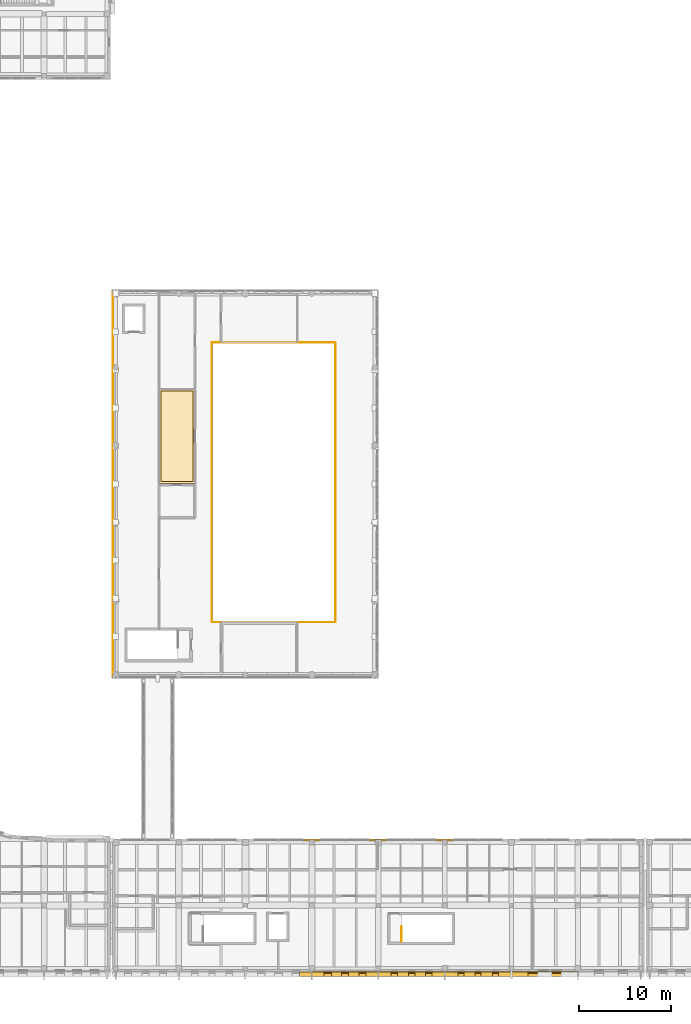
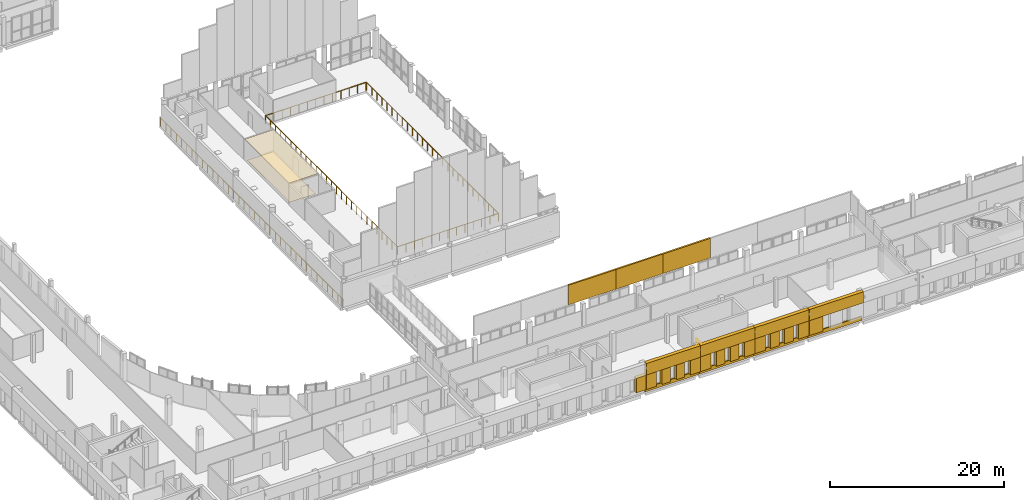
# One storey, part 68 of 76: 27 coverings, 4 railings.
"""IFC4 building model written with IfcOpenShell, lengths in metres."""

import ifcopenshell
import ifcopenshell.guid

model = None  # the IFC model being written
_history = None  # IfcOwnerHistory: only IFC2X3 demands one
_inside = {}  # id of a spatial element -> (the spatial element, [elements in it])
_under = {}  # id of a project, library or spatial element -> (it, [spatial elements below it])
_declared = {}  # id of a project -> (the project, [libraries it declares])
_typed = {}  # id of a type object -> (the type object, [elements of that type])
_made_of = {}  # id of a material, layer set ... -> (it, [elements and type objects made of it])


def new_model(schema):
    """Start an empty IFC model of exactly this schema.

    Asked for "IFC4X3", IfcOpenShell would pick the latest addendum, in which some entities
    have other attributes; the version numbers below select the first issue.
    IFC2X3 requires an IfcOwnerHistory on every rooted entity: one is made here for all.
    """
    global model, _history
    if schema == "IFC4X3":
        model = ifcopenshell.file(schema_version=(4, 3, 0, 0))
    else:
        model = ifcopenshell.file(schema=schema)
    _inside.clear()
    _under.clear()
    _declared.clear()
    _typed.clear()
    _made_of.clear()
    _history = None
    if model.schema == "IFC2X3":
        org = make("IfcOrganization", Name="unknown")
        user = make(
            "IfcPersonAndOrganization",
            ThePerson=make("IfcPerson", FamilyName="unknown"),
            TheOrganization=org,
        )
        app = make(
            "IfcApplication",
            ApplicationDeveloper=org,
            Version="unknown",
            ApplicationFullName="unknown",
            ApplicationIdentifier="unknown",
        )
        _history = make(
            "IfcOwnerHistory",
            OwningUser=user,
            OwningApplication=app,
            ChangeAction="ADDED",
            CreationDate=0,
        )
    return model


def make(cls, **values):
    """One entity of the class cls with the attributes given. An attribute that is None is left unset."""
    return model.create_entity(
        cls, **{name: value for name, value in values.items() if value is not None}
    )


def rooted(cls, **values):
    """An entity with a GlobalId (a new one), such as an element, a storey or a relation."""
    return make(cls, GlobalId=ifcopenshell.guid.new(), OwnerHistory=_history, **values)


def si_unit(unit_type, name, prefix=None):
    """IfcSIUnit, for example si_unit("LENGTHUNIT", "METRE", prefix="MILLI")."""
    return make("IfcSIUnit", UnitType=unit_type, Prefix=prefix, Name=name)


def assignment(units):
    """IfcUnitAssignment: the units of a project."""
    return None if units is None else make("IfcUnitAssignment", Units=units)


def point(xyz):
    """IfcCartesianPoint."""
    return None if xyz is None else make("IfcCartesianPoint", Coordinates=xyz)


def direction(xyz):
    """IfcDirection."""
    return None if xyz is None else make("IfcDirection", DirectionRatios=xyz)


def frame(location, z_axis=None, x_axis=None):
    """IfcAxis2Placement3D, a coordinate frame: its origin and axes. An axis left out is left unset."""
    return make(
        "IfcAxis2Placement3D",
        Location=point(location),
        Axis=direction(z_axis),
        RefDirection=direction(x_axis),
    )


def frame_2d(location, x_axis=None):
    """IfcAxis2Placement2D, a coordinate frame in the plane: its origin and x axis."""
    return make(
        "IfcAxis2Placement2D", Location=point(location), RefDirection=direction(x_axis)
    )


def origin():
    """The frame at (0, 0, 0) with its axes left unset."""
    return frame((0.0, 0.0, 0.0))


def origin_2d():
    """The frame at (0, 0) in the plane with its x axis left unset."""
    return frame_2d((0.0, 0.0))


def place(relative_to, where):
    """IfcLocalPlacement: puts the frame where relative to a parent placement (None: the world)."""
    return make(
        "IfcLocalPlacement", PlacementRelTo=relative_to, RelativePlacement=where
    )


def context(
    kind, dimensions, precision=None, world=None, true_north=None, identifier=None
):
    """IfcGeometricRepresentationContext, for example the 3D "Model" context."""
    return make(
        "IfcGeometricRepresentationContext",
        ContextIdentifier=identifier,
        ContextType=kind,
        CoordinateSpaceDimension=dimensions,
        Precision=precision,
        WorldCoordinateSystem=world,
        TrueNorth=true_north,
    )


def subcontext(parent, identifier, kind, view, scale=None):
    """IfcGeometricRepresentationSubContext, for example "Body" below "Model"."""
    return make(
        "IfcGeometricRepresentationSubContext",
        ContextIdentifier=identifier,
        ContextType=kind,
        ParentContext=parent,
        TargetScale=scale,
        TargetView=view,
    )


def project(units=None, contexts=None):
    """IfcProject with its units and contexts."""
    return rooted(
        "IfcProject",
        Name="project",
        RepresentationContexts=contexts,
        UnitsInContext=assignment(units),
    )


def spatial(cls, under=None, at=None, **own):
    """A site, building, storey or space (cls), placed at a placement, below another one or the project."""
    s = rooted(cls, ObjectPlacement=at, **own)
    if under is not None:
        _under.setdefault(under.id(), (under, []))[1].append(s)
    return s


def polyline(points):
    """IfcPolyline through the points."""
    return make("IfcPolyline", Points=[point(p) for p in points])


def profile(cls, at=None, kind="AREA", **sizes):
    """A parametric profile (cls). Its sizes go by their IFC names, for example OverallWidth=200.0."""
    return make(cls, ProfileType=kind, Position=at, **sizes)


def circle(**sizes):
    """IfcCircleProfileDef."""
    return profile("IfcCircleProfileDef", **sizes)


def outline(outer, holes=None, kind="AREA"):
    """IfcArbitraryClosedProfileDef: a profile drawn as a closed curve; with holes, ...WithVoids."""
    if holes is None:
        return make("IfcArbitraryClosedProfileDef", ProfileType=kind, OuterCurve=outer)
    return make(
        "IfcArbitraryProfileDefWithVoids",
        ProfileType=kind,
        OuterCurve=outer,
        InnerCurves=holes,
    )


def extrude(swept, where, along, depth):
    """IfcExtrudedAreaSolid: the profile swept, set in the frame where, extruded along a direction by depth."""
    return make(
        "IfcExtrudedAreaSolid",
        SweptArea=swept,
        Position=where,
        ExtrudedDirection=direction(along),
        Depth=depth,
    )


def shape(context_of_items, identifier, shape_type, items):
    """IfcShapeRepresentation: the items that make up one representation, for example the "Body"."""
    return make(
        "IfcShapeRepresentation",
        ContextOfItems=context_of_items,
        RepresentationIdentifier=identifier,
        RepresentationType=shape_type,
        Items=items,
    )


def material(Name=None, Category=None):
    """IfcMaterial."""
    return make("IfcMaterial", Name=Name, Category=Category)


def layer(
    of_material, thickness, ventilated=None, Name=None, Category=None, Priority=None
):
    """IfcMaterialLayer: one layer of a wall or slab, of a material (None: an air gap)."""
    return make(
        "IfcMaterialLayer",
        Material=of_material,
        LayerThickness=thickness,
        IsVentilated=ventilated,
        Name=Name,
        Category=Category,
        Priority=Priority,
    )


def layer_set(layers, Name=None):
    """IfcMaterialLayerSet."""
    return make("IfcMaterialLayerSet", MaterialLayers=layers, LayerSetName=Name)


def made_of(thing, what):
    """Note that an element or type object is made of a material, layer set ...; save() writes the relation."""
    if what is not None:
        _made_of.setdefault(what.id(), (what, []))[1].append(thing)
    return thing


def type_object(cls, material=None, **own):
    """A type object (cls), such as IfcWallType, which elements share."""
    return made_of(rooted(cls, **own), material)


def element(
    cls,
    number,
    at=None,
    inside=None,
    cuts=None,
    type_object=None,
    material=None,
    context=None,
    identifier="Body",
    shape_type=None,
    held_by="IfcProductDefinitionShape",
    body=None,
    shapes=None,
    **own,
):
    """One element of the class cls, such as IfcWall. Its Tag is "e" and its number.

    at: its placement. inside: the storey or other place that contains it. cuts: it is an
    opening in that element (IfcRelVoidsElement). A single representation is given by context,
    identifier, shape_type and body (its items); several are given by shapes. held_by: the class
    of the entity that holds the representations. save() writes the other relations.
    """
    e = rooted(cls, Tag="e%d" % number, ObjectPlacement=at, **own)
    if body is not None:
        shapes = [shape(context, identifier, shape_type, body)]
    if shapes is not None:
        e.Representation = make(held_by, Representations=shapes)
    if inside is not None:
        _inside.setdefault(inside.id(), (inside, []))[1].append(e)
    if cuts is not None:
        rooted(
            "IfcRelVoidsElement", RelatingBuildingElement=cuts, RelatedOpeningElement=e
        )
    if type_object is not None:
        _typed.setdefault(type_object.id(), (type_object, []))[1].append(e)
    return made_of(e, material)


def aggregate(whole, parts):
    """IfcRelAggregates: a whole, such as a stair, and the parts it consists of."""
    return rooted("IfcRelAggregates", RelatingObject=whole, RelatedObjects=parts)


def save(model, path):
    """Write the relations noted so far, then the file.

    IfcRelAggregates (storeys below a building ...), IfcRelContainedInSpatialStructure (elements
    in a storey), IfcRelDefinesByType, IfcRelAssociatesMaterial and IfcRelDeclares: one each for
    every whole, place, type object, material and project.
    """
    for whole, parts in _under.values():
        aggregate(whole, parts)
    for where, things in _inside.values():
        rooted(
            "IfcRelContainedInSpatialStructure",
            RelatedElements=things,
            RelatingStructure=where,
        )
    for kind, things in _typed.values():
        rooted("IfcRelDefinesByType", RelatedObjects=things, RelatingType=kind)
    for what, things in _made_of.values():
        rooted("IfcRelAssociatesMaterial", RelatedObjects=things, RelatingMaterial=what)
    for by, libraries in _declared.values():
        rooted("IfcRelDeclares", RelatingContext=by, RelatedDefinitions=libraries)
    model.write(path)


model = new_model("IFC4")

# Units and contexts
model_context = context("Model", 3, precision=1e-05, world=origin(), true_north=direction((0.0, 1.0)))
body_context = subcontext(model_context, "Body", "Model", "MODEL_VIEW")
ifc_project = project(units=[si_unit("LENGTHUNIT", "METRE"), si_unit("AREAUNIT", "SQUARE_METRE"), si_unit("VOLUMEUNIT", "CUBIC_METRE"), si_unit("PLANEANGLEUNIT", "RADIAN"), si_unit("MASSUNIT", "GRAM", prefix="KILO")], contexts=[model_context])

# Site, building, storey
site_placement = place(None, origin())
site = spatial("IfcSite", under=ifc_project, at=site_placement, CompositionType="ELEMENT")
building_placement = place(site_placement, origin())
building = spatial("IfcBuilding", under=site, at=building_placement, Name="Vardoun Plaza Health Centre", CompositionType="ELEMENT")
storey_placement = place(building_placement, frame((0.0, 0.0, 4.5)))
storey = spatial("IfcBuildingStorey", under=building, at=storey_placement, Name="L01", CompositionType="ELEMENT", Elevation=4.5)

# Coverings
ifc_material_1 = material(Name="Hygienic Acoustic Mineral-Fibre Ceiling", Category="concrete")
ifc_layer_1 = layer(ifc_material_1, 0.02490234375)
ifc_layer_set_1 = layer_set([ifc_layer_1], Name="Hygienic Acoustic Mineral-Fibre Ceiling")
covering_type_1 = type_object("IfcCoveringType", Name="CL-01", PredefinedType="CEILING", material=ifc_layer_set_1)
covering_1_placement = place(storey_placement, frame((0.0, 0.0, 2.8798828125)))
element("IfcCovering", 1, at=covering_1_placement, inside=storey, type_object=covering_type_1, Name="Health Education Kiosk Acoustic Ceiling", PredefinedType="CEILING", context=body_context, shape_type="SweptSolid", body=[
    extrude(outline(polyline([(56.820068359375, 57.389892578125), (52.949951171875, 57.389892578125), (52.949951171875, 67.574951171875), (56.820068359375, 67.574951171875), (56.820068359375, 57.389892578125)])), origin(), (0.0, 0.0, 1.0), 0.025146484375),
])
ifc_material_2 = material(Name="Pale Limestone Concrete C35/45", Category="masonry")
ifc_layer_2 = layer(ifc_material_2, 0.080078125)
ifc_layer_set_2 = layer_set([ifc_layer_2], Name="Pale Limestone Concrete C35/45")
covering_type_2 = type_object("IfcCoveringType", Name="CL-EXT1", PredefinedType="CLADDING", material=ifc_layer_set_2)
covering_2_placement = place(storey_placement, origin())
element("IfcCovering", 2, at=covering_2_placement, inside=storey, type_object=covering_type_2, Name="V4 L01 Pale Concrete Sill Band 1030", PredefinedType="CLADDING", context=body_context, shape_type="SweptSolid", body=[
    extrude(outline(polyline([(98.260009765625, 4.5), (91.10009765625, 4.5), (91.10009765625, 4.360107421875), (98.260009765625, 4.360107421875), (98.260009765625, 4.5)])), origin(), (0.0, 0.0, 1.0), 0.550048828125),
])
covering_3_placement = place(storey_placement, frame((0.0, 0.0, 2.64990234375)))
element("IfcCovering", 3, at=covering_3_placement, inside=storey, type_object=covering_type_2, Name="V4 L01 Sculpted Concrete Eyebrow Hood 1031", PredefinedType="CLADDING", context=body_context, shape_type="SweptSolid", body=[
    extrude(outline(polyline([(98.260009765625, 4.5), (91.10009765625, 4.5), (91.10009765625, 4.02001953125), (98.260009765625, 4.02001953125), (98.260009765625, 4.5)])), origin(), (0.0, 0.0, 1.0), 1.550048828125),
])
covering_4_placement = place(storey_placement, frame((0.0, 0.0, 0.550048828125)))
element("IfcCovering", 4, at=covering_4_placement, inside=storey, type_object=covering_type_2, Name="V4 L01 Deep-Punched Slot Concrete Reveal Pier 1034", PredefinedType="CLADDING", context=body_context, shape_type="SweptSolid", body=[
    extrude(outline(polyline([(92.884033203125, 4.5), (91.10009765625, 4.5), (91.10009765625, 4.02001953125), (92.884033203125, 4.02001953125), (92.884033203125, 4.5)])), origin(), (0.0, 0.0, 1.0), 2.099853515625),
])
covering_5_placement = place(storey_placement, origin())
element("IfcCovering", 5, at=covering_5_placement, inside=storey, type_object=covering_type_2, Name="V4 L01 Pale Concrete Sill Band 1035", PredefinedType="CLADDING", context=body_context, shape_type="SweptSolid", body=[
    extrude(outline(polyline([(91.06005859375, 4.5), (83.89990234375, 4.5), (83.89990234375, 4.360107421875), (91.06005859375, 4.360107421875), (91.06005859375, 4.5)])), origin(), (0.0, 0.0, 1.0), 0.550048828125),
])
covering_6_placement = place(storey_placement, frame((0.0, 0.0, 2.6298828125)))
element("IfcCovering", 6, at=covering_6_placement, inside=storey, type_object=covering_type_2, Name="V4 L01 Sculpted Concrete Eyebrow Hood 1036", PredefinedType="CLADDING", context=body_context, shape_type="SweptSolid", body=[
    extrude(outline(polyline([(91.06005859375, 4.5), (83.89990234375, 4.5), (83.89990234375, 4.02001953125), (91.06005859375, 4.02001953125), (91.06005859375, 4.5)])), origin(), (0.0, 0.0, 1.0), 1.570068359375),
])
covering_7_placement = place(storey_placement, frame((0.0, 0.0, 0.550048828125)))
element("IfcCovering", 7, at=covering_7_placement, inside=storey, type_object=covering_type_2, Name="V4 L01 Deep-Punched Slot Concrete Reveal Pier 1037", PredefinedType="CLADDING", context=body_context, shape_type="SweptSolid", body=[
    extrude(outline(polyline([(91.06005859375, 4.5), (89.681884765625, 4.5), (89.681884765625, 4.02001953125), (91.06005859375, 4.02001953125), (91.06005859375, 4.5)])), origin(), (0.0, 0.0, 1.0), 2.079833984375),
])
covering_8_placement = place(storey_placement, frame((0.0, 0.0, 0.550048828125)))
element("IfcCovering", 8, at=covering_8_placement, inside=storey, type_object=covering_type_2, Name="V4 L01 Deep-Punched Slot Concrete Reveal Pier 1038", PredefinedType="CLADDING", context=body_context, shape_type="SweptSolid", body=[
    extrude(outline(polyline([(89.02197265625, 4.5), (87.81005859375, 4.5), (87.81005859375, 4.02001953125), (89.02197265625, 4.02001953125), (89.02197265625, 4.5)])), origin(), (0.0, 0.0, 1.0), 2.079833984375),
])
covering_9_placement = place(storey_placement, frame((0.0, 0.0, 0.550048828125)))
element("IfcCovering", 9, at=covering_9_placement, inside=storey, type_object=covering_type_2, Name="V4 L01 Deep-Punched Slot Concrete Reveal Pier 1039", PredefinedType="CLADDING", context=body_context, shape_type="SweptSolid", body=[
    extrude(outline(polyline([(87.14990234375, 4.5), (85.93798828125, 4.5), (85.93798828125, 4.02001953125), (87.14990234375, 4.02001953125), (87.14990234375, 4.5)])), origin(), (0.0, 0.0, 1.0), 2.079833984375),
])
covering_10_placement = place(storey_placement, frame((0.0, 0.0, 0.550048828125)))
element("IfcCovering", 10, at=covering_10_placement, inside=storey, type_object=covering_type_2, Name="V4 L01 Deep-Punched Slot Concrete Reveal Pier 1040", PredefinedType="CLADDING", context=body_context, shape_type="SweptSolid", body=[
    extrude(outline(polyline([(85.278076171875, 4.5), (83.89990234375, 4.5), (83.89990234375, 4.02001953125), (85.278076171875, 4.02001953125), (85.278076171875, 4.5)])), origin(), (0.0, 0.0, 1.0), 2.079833984375),
])
covering_11_placement = place(storey_placement, origin())
element("IfcCovering", 11, at=covering_11_placement, inside=storey, type_object=covering_type_2, Name="V4 L01 Pale Concrete Sill Band 1041", PredefinedType="CLADDING", context=body_context, shape_type="SweptSolid", body=[
    extrude(outline(polyline([(83.860107421875, 4.5), (76.699951171875, 4.5), (76.699951171875, 4.360107421875), (83.860107421875, 4.360107421875), (83.860107421875, 4.5)])), origin(), (0.0, 0.0, 1.0), 0.550048828125),
])
covering_12_placement = place(storey_placement, frame((0.0, 0.0, 2.6298828125)))
element("IfcCovering", 12, at=covering_12_placement, inside=storey, type_object=covering_type_2, Name="V4 L01 Sculpted Concrete Eyebrow Hood 1042", PredefinedType="CLADDING", context=body_context, shape_type="SweptSolid", body=[
    extrude(outline(polyline([(83.860107421875, 4.5), (76.699951171875, 4.5), (76.699951171875, 4.02001953125), (83.860107421875, 4.02001953125), (83.860107421875, 4.5)])), origin(), (0.0, 0.0, 1.0), 1.570068359375),
])
covering_13_placement = place(storey_placement, frame((0.0, 0.0, 0.550048828125)))
element("IfcCovering", 13, at=covering_13_placement, inside=storey, type_object=covering_type_2, Name="V4 L01 Deep-Punched Slot Concrete Reveal Pier 1043", PredefinedType="CLADDING", context=body_context, shape_type="SweptSolid", body=[
    extrude(outline(polyline([(83.860107421875, 4.5), (82.511962890625, 4.5), (82.511962890625, 4.02001953125), (83.860107421875, 4.02001953125), (83.860107421875, 4.5)])), origin(), (0.0, 0.0, 1.0), 2.079833984375),
])
covering_14_placement = place(storey_placement, frame((0.0, 0.0, 0.550048828125)))
element("IfcCovering", 14, at=covering_14_placement, inside=storey, type_object=covering_type_2, Name="V4 L01 Deep-Punched Slot Concrete Reveal Pier 1044", PredefinedType="CLADDING", context=body_context, shape_type="SweptSolid", body=[
    extrude(outline(polyline([(81.7919921875, 4.5), (80.639892578125, 4.5), (80.639892578125, 4.02001953125), (81.7919921875, 4.02001953125), (81.7919921875, 4.5)])), origin(), (0.0, 0.0, 1.0), 2.079833984375),
])
covering_15_placement = place(storey_placement, frame((0.0, 0.0, 0.550048828125)))
element("IfcCovering", 15, at=covering_15_placement, inside=storey, type_object=covering_type_2, Name="V4 L01 Deep-Punched Slot Concrete Reveal Pier 1045", PredefinedType="CLADDING", context=body_context, shape_type="SweptSolid", body=[
    extrude(outline(polyline([(79.919921875, 4.5), (78.76806640625, 4.5), (78.76806640625, 4.02001953125), (79.919921875, 4.02001953125), (79.919921875, 4.5)])), origin(), (0.0, 0.0, 1.0), 2.079833984375),
])
covering_16_placement = place(storey_placement, frame((0.0, 0.0, 0.550048828125)))
element("IfcCovering", 16, at=covering_16_placement, inside=storey, type_object=covering_type_2, Name="V4 L01 Deep-Punched Slot Concrete Reveal Pier 1046", PredefinedType="CLADDING", context=body_context, shape_type="SweptSolid", body=[
    extrude(outline(polyline([(78.048095703125, 4.5), (76.699951171875, 4.5), (76.699951171875, 4.02001953125), (78.048095703125, 4.02001953125), (78.048095703125, 4.5)])), origin(), (0.0, 0.0, 1.0), 2.079833984375),
])
covering_17_placement = place(storey_placement, origin())
element("IfcCovering", 17, at=covering_17_placement, inside=storey, type_object=covering_type_2, Name="V4 L01 Pale Concrete Sill Band 1047", PredefinedType="CLADDING", context=body_context, shape_type="SweptSolid", body=[
    extrude(outline(polyline([(76.659912109375, 4.5), (69.5, 4.5), (69.5, 4.360107421875), (76.659912109375, 4.360107421875), (76.659912109375, 4.5)])), origin(), (0.0, 0.0, 1.0), 0.550048828125),
])
covering_18_placement = place(storey_placement, frame((0.0, 0.0, 2.590087890625)))
element("IfcCovering", 18, at=covering_18_placement, inside=storey, type_object=covering_type_2, Name="V4 L01 Sculpted Concrete Eyebrow Hood 1048", PredefinedType="CLADDING", context=body_context, shape_type="SweptSolid", body=[
    extrude(outline(polyline([(76.659912109375, 4.5), (69.5, 4.5), (69.5, 4.02001953125), (76.659912109375, 4.02001953125), (76.659912109375, 4.5)])), origin(), (0.0, 0.0, 1.0), 1.60986328125),
])
covering_19_placement = place(storey_placement, frame((0.0, 0.0, 0.550048828125)))
element("IfcCovering", 19, at=covering_19_placement, inside=storey, type_object=covering_type_2, Name="V4 L01 Deep-Punched Slot Concrete Reveal Pier 1049", PredefinedType="CLADDING", context=body_context, shape_type="SweptSolid", body=[
    extrude(outline(polyline([(76.659912109375, 4.5), (75.342041015625, 4.5), (75.342041015625, 4.02001953125), (76.659912109375, 4.02001953125), (76.659912109375, 4.5)])), origin(), (0.0, 0.0, 1.0), 2.0400390625),
])
covering_20_placement = place(storey_placement, frame((0.0, 0.0, 0.550048828125)))
element("IfcCovering", 20, at=covering_20_placement, inside=storey, type_object=covering_type_2, Name="V4 L01 Deep-Punched Slot Concrete Reveal Pier 1050", PredefinedType="CLADDING", context=body_context, shape_type="SweptSolid", body=[
    extrude(outline(polyline([(74.56201171875, 4.5), (73.469970703125, 4.5), (73.469970703125, 4.02001953125), (74.56201171875, 4.02001953125), (74.56201171875, 4.5)])), origin(), (0.0, 0.0, 1.0), 2.0400390625),
])
covering_21_placement = place(storey_placement, frame((0.0, 0.0, 0.550048828125)))
element("IfcCovering", 21, at=covering_21_placement, inside=storey, type_object=covering_type_2, Name="V4 L01 Deep-Punched Slot Concrete Reveal Pier 1051", PredefinedType="CLADDING", context=body_context, shape_type="SweptSolid", body=[
    extrude(outline(polyline([(72.68994140625, 4.5), (71.597900390625, 4.5), (71.597900390625, 4.02001953125), (72.68994140625, 4.02001953125), (72.68994140625, 4.5)])), origin(), (0.0, 0.0, 1.0), 2.0400390625),
])
covering_22_placement = place(storey_placement, frame((0.0, 0.0, 0.550048828125)))
element("IfcCovering", 22, at=covering_22_placement, inside=storey, type_object=covering_type_2, Name="V4 L01 Deep-Punched Slot Concrete Reveal Pier 1052", PredefinedType="CLADDING", context=body_context, shape_type="SweptSolid", body=[
    extrude(outline(polyline([(70.818115234375, 4.5), (69.5, 4.5), (69.5, 4.02001953125), (70.818115234375, 4.02001953125), (70.818115234375, 4.5)])), origin(), (0.0, 0.0, 1.0), 2.0400390625),
])
covering_23_placement = place(storey_placement, frame((0.0, 0.0, 0.550048828125)))
element("IfcCovering", 23, at=covering_23_placement, inside=storey, type_object=covering_type_2, Name="V4 L01 Deep-Punched Slot Concrete Reveal Pier 1055", PredefinedType="CLADDING", context=body_context, shape_type="SweptSolid", body=[
    extrude(outline(polyline([(69.4599609375, 4.5), (68.172119140625, 4.5), (68.172119140625, 4.02001953125), (69.4599609375, 4.02001953125), (69.4599609375, 4.5)])), origin(), (0.0, 0.0, 1.0), 2.0400390625),
])
covering_24_placement = place(storey_placement, frame((0.0, 0.0, 4.199951171875)))
element("IfcCovering", 24, at=covering_24_placement, inside=storey, type_object=covering_type_2, Name="Sculpted Concrete Roof Gable Cladding V4-N.3", PredefinedType="CLADDING", context=body_context, shape_type="SweptSolid", body=[
    extrude(outline(polyline([(67.6201171875, 18.659912109375), (73.889892578125, 18.659912109375), (73.889892578125, 18.8798828125), (67.6201171875, 18.8798828125), (67.6201171875, 18.659912109375)])), origin(), (0.0, 0.0, 1.0), 2.75),
])
covering_25_placement = place(storey_placement, frame((0.0, 0.0, 4.199951171875)))
element("IfcCovering", 25, at=covering_25_placement, inside=storey, type_object=covering_type_2, Name="Sculpted Concrete Roof Gable Cladding V4-N.4", PredefinedType="CLADDING", context=body_context, shape_type="SweptSolid", body=[
    extrude(outline(polyline([(73.889892578125, 18.659912109375), (80.159912109375, 18.659912109375), (80.159912109375, 18.8798828125), (73.889892578125, 18.8798828125), (73.889892578125, 18.659912109375)])), origin(), (0.0, 0.0, 1.0), 2.75),
])
covering_26_placement = place(storey_placement, frame((0.0, 0.0, 4.199951171875)))
element("IfcCovering", 26, at=covering_26_placement, inside=storey, type_object=covering_type_2, Name="Sculpted Concrete Roof Gable Cladding V4-N.5", PredefinedType="CLADDING", context=body_context, shape_type="SweptSolid", body=[
    extrude(outline(polyline([(80.159912109375, 18.659912109375), (86.429931640625, 18.659912109375), (86.429931640625, 18.8798828125), (80.159912109375, 18.8798828125), (80.159912109375, 18.659912109375)])), origin(), (0.0, 0.0, 1.0), 2.75),
])
ifc_material_3 = material(Name="Seamless Conductive Clinical Vinyl Flooring", Category="concrete")
ifc_layer_3 = layer(ifc_material_3, 0.014892578125)
ifc_layer_set_3 = layer_set([ifc_layer_3], Name="Seamless Conductive Clinical Vinyl Flooring")
covering_type_3 = type_object("IfcCoveringType", Name="FL-01", PredefinedType="FLOORING", material=ifc_layer_set_3)
covering_27_placement = place(storey_placement, origin())
element("IfcCovering", 27, at=covering_27_placement, inside=storey, type_object=covering_type_3, Name="Health Education Kiosk Floor Finish", PredefinedType="FLOORING", context=body_context, shape_type="SweptSolid", body=[
    extrude(outline(polyline([(56.610107421875, 57.60009765625), (53.159912109375, 57.60009765625), (53.159912109375, 67.364990234375), (56.610107421875, 67.364990234375), (56.610107421875, 57.60009765625)])), origin(), (0.0, 0.0, 1.0), 0.014892578125),
])

# Railings
ifc_material_4 = material(Name="Aluminium Alloy EN AW-6063-T6 and Laminated Glass", Category="aluminium")
railing_type_1 = type_object("IfcRailingType", Name="GR-02", PredefinedType="BALUSTRADE", material=ifc_material_4)
railing_1_placement = place(storey_placement, frame((58.64990234375, 42.35009765625, 0.0)))
element("IfcRailing", 28, at=railing_1_placement, inside=storey, type_object=railing_type_1, Name="Waiting Hall Gallery Atrium Balustrade South-East", PredefinedType="BALUSTRADE", context=body_context, shape_type="SweptSolid", body=[
    extrude(circle(Radius=0.02392578125, at=origin_2d()), frame((0.0, 0.0, 1.1259765625), z_axis=(1.0, 0.0, 0.0), x_axis=(0.0, 1.0, 0.0)), (0.0, 0.0, 1.0), 13.380126953125),
    extrude(circle(Radius=0.02392578125, at=origin_2d()), frame((13.380126953125, 0.0, 1.1259765625), z_axis=(0.0, 1.0, 0.0), x_axis=(-1.0, 0.0, 0.0)), (0.0, 0.0, 1.0), 30.22998046875),
    extrude(circle(Radius=0.02099609375, at=origin_2d()), origin(), (0.0, 0.0, 1.0), 1.101806640625),
    extrude(circle(Radius=0.02099609375, at=origin_2d()), frame((1.114990234375, 0.0, 0.0)), (0.0, 0.0, 1.0), 1.101806640625),
    extrude(circle(Radius=0.02099609375, at=origin_2d()), frame((2.22998046875, 0.0, 0.0)), (0.0, 0.0, 1.0), 1.101806640625),
    extrude(circle(Radius=0.02099609375, at=origin_2d()), frame((3.344970703125, 0.0, 0.0)), (0.0, 0.0, 1.0), 1.101806640625),
    extrude(circle(Radius=0.02099609375, at=origin_2d()), frame((4.4599609375, 0.0, 0.0)), (0.0, 0.0, 1.0), 1.101806640625),
    extrude(circle(Radius=0.02099609375, at=origin_2d()), frame((5.574951171875, 0.0, 0.0)), (0.0, 0.0, 1.0), 1.101806640625),
    extrude(circle(Radius=0.02099609375, at=origin_2d()), frame((6.68994140625, 0.0, 0.0)), (0.0, 0.0, 1.0), 1.101806640625),
    extrude(circle(Radius=0.02099609375, at=origin_2d()), frame((7.80517578125, 0.0, 0.0)), (0.0, 0.0, 1.0), 1.101806640625),
    extrude(circle(Radius=0.02099609375, at=origin_2d()), frame((8.920166015625, 0.0, 0.0)), (0.0, 0.0, 1.0), 1.101806640625),
    extrude(circle(Radius=0.02099609375, at=origin_2d()), frame((10.03515625, 0.0, 0.0)), (0.0, 0.0, 1.0), 1.101806640625),
    extrude(circle(Radius=0.02099609375, at=origin_2d()), frame((11.150146484375, 0.0, 0.0)), (0.0, 0.0, 1.0), 1.101806640625),
    extrude(circle(Radius=0.02099609375, at=origin_2d()), frame((12.26513671875, 0.0, 0.0)), (0.0, 0.0, 1.0), 1.101806640625),
    extrude(circle(Radius=0.02099609375, at=origin_2d()), frame((13.380126953125, 0.0, 0.0)), (0.0, 0.0, 1.0), 1.101806640625),
    extrude(circle(Radius=0.02099609375, at=origin_2d()), frame((13.380126953125, 1.16259765625, 0.0)), (0.0, 0.0, 1.0), 1.101806640625),
    extrude(circle(Radius=0.02099609375, at=origin_2d()), frame((13.380126953125, 2.325439453125, 0.0)), (0.0, 0.0, 1.0), 1.101806640625),
    extrude(circle(Radius=0.02099609375, at=origin_2d()), frame((13.380126953125, 3.488037109375, 0.0)), (0.0, 0.0, 1.0), 1.101806640625),
    extrude(circle(Radius=0.02099609375, at=origin_2d()), frame((13.380126953125, 4.65087890625, 0.0)), (0.0, 0.0, 1.0), 1.101806640625),
    extrude(circle(Radius=0.02099609375, at=origin_2d()), frame((13.380126953125, 5.8134765625, 0.0)), (0.0, 0.0, 1.0), 1.101806640625),
    extrude(circle(Radius=0.02099609375, at=origin_2d()), frame((13.380126953125, 6.97607421875, 0.0)), (0.0, 0.0, 1.0), 1.101806640625),
    extrude(circle(Radius=0.02099609375, at=origin_2d()), frame((13.380126953125, 8.138916015625, 0.0)), (0.0, 0.0, 1.0), 1.101806640625),
    extrude(circle(Radius=0.02099609375, at=origin_2d()), frame((13.380126953125, 9.301513671875, 0.0)), (0.0, 0.0, 1.0), 1.101806640625),
    extrude(circle(Radius=0.02099609375, at=origin_2d()), frame((13.380126953125, 10.464111328125, 0.0)), (0.0, 0.0, 1.0), 1.101806640625),
    extrude(circle(Radius=0.02099609375, at=origin_2d()), frame((13.380126953125, 11.626953125, 0.0)), (0.0, 0.0, 1.0), 1.101806640625),
    extrude(circle(Radius=0.02099609375, at=origin_2d()), frame((13.380126953125, 12.78955078125, 0.0)), (0.0, 0.0, 1.0), 1.101806640625),
    extrude(circle(Radius=0.02099609375, at=origin_2d()), frame((13.380126953125, 13.952392578125, 0.0)), (0.0, 0.0, 1.0), 1.101806640625),
    extrude(circle(Radius=0.02099609375, at=origin_2d()), frame((13.380126953125, 15.114990234375, 0.0)), (0.0, 0.0, 1.0), 1.101806640625),
    extrude(circle(Radius=0.02099609375, at=origin_2d()), frame((13.380126953125, 16.277587890625, 0.0)), (0.0, 0.0, 1.0), 1.101806640625),
    extrude(circle(Radius=0.02099609375, at=origin_2d()), frame((13.380126953125, 17.4404296875, 0.0)), (0.0, 0.0, 1.0), 1.101806640625),
    extrude(circle(Radius=0.02099609375, at=origin_2d()), frame((13.380126953125, 18.60302734375, 0.0)), (0.0, 0.0, 1.0), 1.101806640625),
    extrude(circle(Radius=0.02099609375, at=origin_2d()), frame((13.380126953125, 19.765869140625, 0.0)), (0.0, 0.0, 1.0), 1.101806640625),
    extrude(circle(Radius=0.02099609375, at=origin_2d()), frame((13.380126953125, 20.928466796875, 0.0)), (0.0, 0.0, 1.0), 1.101806640625),
    extrude(circle(Radius=0.02099609375, at=origin_2d()), frame((13.380126953125, 22.091064453125, 0.0)), (0.0, 0.0, 1.0), 1.101806640625),
    extrude(circle(Radius=0.02099609375, at=origin_2d()), frame((13.380126953125, 23.25390625, 0.0)), (0.0, 0.0, 1.0), 1.101806640625),
    extrude(circle(Radius=0.02099609375, at=origin_2d()), frame((13.380126953125, 24.41650390625, 0.0)), (0.0, 0.0, 1.0), 1.101806640625),
    extrude(circle(Radius=0.02099609375, at=origin_2d()), frame((13.380126953125, 25.5791015625, 0.0)), (0.0, 0.0, 1.0), 1.101806640625),
    extrude(circle(Radius=0.02099609375, at=origin_2d()), frame((13.380126953125, 26.741943359375, 0.0)), (0.0, 0.0, 1.0), 1.101806640625),
    extrude(circle(Radius=0.02099609375, at=origin_2d()), frame((13.380126953125, 27.904541015625, 0.0)), (0.0, 0.0, 1.0), 1.101806640625),
    extrude(circle(Radius=0.02099609375, at=origin_2d()), frame((13.380126953125, 29.0673828125, 0.0)), (0.0, 0.0, 1.0), 1.101806640625),
    extrude(circle(Radius=0.02099609375, at=origin_2d()), frame((13.380126953125, 30.22998046875, 0.0)), (0.0, 0.0, 1.0), 1.101806640625),
])
railing_2_placement = place(storey_placement, frame((71.9599609375, 72.64990234375, 0.0)))
element("IfcRailing", 29, at=railing_2_placement, inside=storey, type_object=railing_type_1, Name="Waiting Hall Gallery Atrium Balustrade North-West", PredefinedType="BALUSTRADE", context=body_context, shape_type="SweptSolid", body=[
    extrude(circle(Radius=0.02392578125, at=origin_2d()), frame((0.0, 0.0, 1.1259765625), z_axis=(-1.0, 0.0, 0.0), x_axis=(0.0, -1.0, 0.0)), (0.0, 0.0, 1.0), 13.31005859375),
    extrude(circle(Radius=0.02392578125, at=origin_2d()), frame((-13.31005859375, 0.0, 1.1259765625), z_axis=(0.0, -1.0, 0.0), x_axis=(1.0, 0.0, 0.0)), (0.0, 0.0, 1.0), 30.22998046875),
    extrude(circle(Radius=0.02099609375, at=origin_2d()), origin(), (0.0, 0.0, 1.0), 1.101806640625),
    extrude(circle(Radius=0.02099609375, at=origin_2d()), frame((-1.109130859375, 0.0, 0.0)), (0.0, 0.0, 1.0), 1.101806640625),
    extrude(circle(Radius=0.02099609375, at=origin_2d()), frame((-2.21826171875, 0.0, 0.0)), (0.0, 0.0, 1.0), 1.101806640625),
    extrude(circle(Radius=0.02099609375, at=origin_2d()), frame((-3.32763671875, 0.0, 0.0)), (0.0, 0.0, 1.0), 1.101806640625),
    extrude(circle(Radius=0.02099609375, at=origin_2d()), frame((-4.436767578125, 0.0, 0.0)), (0.0, 0.0, 1.0), 1.101806640625),
    extrude(circle(Radius=0.02099609375, at=origin_2d()), frame((-5.5458984375, 0.0, 0.0)), (0.0, 0.0, 1.0), 1.101806640625),
    extrude(circle(Radius=0.02099609375, at=origin_2d()), frame((-6.655029296875, 0.0, 0.0)), (0.0, 0.0, 1.0), 1.101806640625),
    extrude(circle(Radius=0.02099609375, at=origin_2d()), frame((-7.76416015625, 0.0, 0.0)), (0.0, 0.0, 1.0), 1.101806640625),
    extrude(circle(Radius=0.02099609375, at=origin_2d()), frame((-8.873291015625, 0.0, 0.0)), (0.0, 0.0, 1.0), 1.101806640625),
    extrude(circle(Radius=0.02099609375, at=origin_2d()), frame((-9.982421875, 0.0, 0.0)), (0.0, 0.0, 1.0), 1.101806640625),
    extrude(circle(Radius=0.02099609375, at=origin_2d()), frame((-11.091796875, 0.0, 0.0)), (0.0, 0.0, 1.0), 1.101806640625),
    extrude(circle(Radius=0.02099609375, at=origin_2d()), frame((-12.200927734375, 0.0, 0.0)), (0.0, 0.0, 1.0), 1.101806640625),
    extrude(circle(Radius=0.02099609375, at=origin_2d()), frame((-13.31005859375, 0.0, 0.0)), (0.0, 0.0, 1.0), 1.101806640625),
    extrude(circle(Radius=0.02099609375, at=origin_2d()), frame((-13.31005859375, -1.16259765625, 0.0)), (0.0, 0.0, 1.0), 1.101806640625),
    extrude(circle(Radius=0.02099609375, at=origin_2d()), frame((-13.31005859375, -2.325439453125, 0.0)), (0.0, 0.0, 1.0), 1.101806640625),
    extrude(circle(Radius=0.02099609375, at=origin_2d()), frame((-13.31005859375, -3.488037109375, 0.0)), (0.0, 0.0, 1.0), 1.101806640625),
    extrude(circle(Radius=0.02099609375, at=origin_2d()), frame((-13.31005859375, -4.65087890625, 0.0)), (0.0, 0.0, 1.0), 1.101806640625),
    extrude(circle(Radius=0.02099609375, at=origin_2d()), frame((-13.31005859375, -5.8134765625, 0.0)), (0.0, 0.0, 1.0), 1.101806640625),
    extrude(circle(Radius=0.02099609375, at=origin_2d()), frame((-13.31005859375, -6.97607421875, 0.0)), (0.0, 0.0, 1.0), 1.101806640625),
    extrude(circle(Radius=0.02099609375, at=origin_2d()), frame((-13.31005859375, -8.138916015625, 0.0)), (0.0, 0.0, 1.0), 1.101806640625),
    extrude(circle(Radius=0.02099609375, at=origin_2d()), frame((-13.31005859375, -9.301513671875, 0.0)), (0.0, 0.0, 1.0), 1.101806640625),
    extrude(circle(Radius=0.02099609375, at=origin_2d()), frame((-13.31005859375, -10.464111328125, 0.0)), (0.0, 0.0, 1.0), 1.101806640625),
    extrude(circle(Radius=0.02099609375, at=origin_2d()), frame((-13.31005859375, -11.626953125, 0.0)), (0.0, 0.0, 1.0), 1.101806640625),
    extrude(circle(Radius=0.02099609375, at=origin_2d()), frame((-13.31005859375, -12.78955078125, 0.0)), (0.0, 0.0, 1.0), 1.101806640625),
    extrude(circle(Radius=0.02099609375, at=origin_2d()), frame((-13.31005859375, -13.952392578125, 0.0)), (0.0, 0.0, 1.0), 1.101806640625),
    extrude(circle(Radius=0.02099609375, at=origin_2d()), frame((-13.31005859375, -15.114990234375, 0.0)), (0.0, 0.0, 1.0), 1.101806640625),
    extrude(circle(Radius=0.02099609375, at=origin_2d()), frame((-13.31005859375, -16.277587890625, 0.0)), (0.0, 0.0, 1.0), 1.101806640625),
    extrude(circle(Radius=0.02099609375, at=origin_2d()), frame((-13.31005859375, -17.4404296875, 0.0)), (0.0, 0.0, 1.0), 1.101806640625),
    extrude(circle(Radius=0.02099609375, at=origin_2d()), frame((-13.31005859375, -18.60302734375, 0.0)), (0.0, 0.0, 1.0), 1.101806640625),
    extrude(circle(Radius=0.02099609375, at=origin_2d()), frame((-13.31005859375, -19.765869140625, 0.0)), (0.0, 0.0, 1.0), 1.101806640625),
    extrude(circle(Radius=0.02099609375, at=origin_2d()), frame((-13.31005859375, -20.928466796875, 0.0)), (0.0, 0.0, 1.0), 1.101806640625),
    extrude(circle(Radius=0.02099609375, at=origin_2d()), frame((-13.31005859375, -22.091064453125, 0.0)), (0.0, 0.0, 1.0), 1.101806640625),
    extrude(circle(Radius=0.02099609375, at=origin_2d()), frame((-13.31005859375, -23.25390625, 0.0)), (0.0, 0.0, 1.0), 1.101806640625),
    extrude(circle(Radius=0.02099609375, at=origin_2d()), frame((-13.31005859375, -24.41650390625, 0.0)), (0.0, 0.0, 1.0), 1.101806640625),
    extrude(circle(Radius=0.02099609375, at=origin_2d()), frame((-13.31005859375, -25.5791015625, 0.0)), (0.0, 0.0, 1.0), 1.101806640625),
    extrude(circle(Radius=0.02099609375, at=origin_2d()), frame((-13.31005859375, -26.741943359375, 0.0)), (0.0, 0.0, 1.0), 1.101806640625),
    extrude(circle(Radius=0.02099609375, at=origin_2d()), frame((-13.31005859375, -27.904541015625, 0.0)), (0.0, 0.0, 1.0), 1.101806640625),
    extrude(circle(Radius=0.02099609375, at=origin_2d()), frame((-13.31005859375, -29.0673828125, 0.0)), (0.0, 0.0, 1.0), 1.101806640625),
    extrude(circle(Radius=0.02099609375, at=origin_2d()), frame((-13.31005859375, -30.22998046875, 0.0)), (0.0, 0.0, 1.0), 1.101806640625),
])
ifc_material_5 = material(Name="Painted Steel S275JR Stair-Well Guardrail", Category="steel")
railing_type_2 = type_object("IfcRailingType", Name="GR-04", PredefinedType="GUARDRAIL", material=ifc_material_5)
railing_3_placement = place(storey_placement, frame((79.2099609375, 7.780029296875, 0.0)))
element("IfcRailing", 30, at=railing_3_placement, inside=storey, type_object=railing_type_2, Name="Stair ST-C7-L00 Upper Landing Well Guard", PredefinedType="GUARDRAIL", context=body_context, shape_type="SweptSolid", body=[
    extrude(circle(Radius=0.02392578125, at=origin_2d()), frame((0.0, 0.0, 1.09619140625), z_axis=(0.0, 1.0, 0.0), x_axis=(-1.0, 0.0, 0.0)), (0.0, 0.0, 1.0), 1.614990234375),
    extrude(circle(Radius=0.02099609375, at=origin_2d()), origin(), (0.0, 0.0, 1.0), 1.072021484375),
    extrude(circle(Radius=0.02099609375, at=origin_2d()), frame((0.0, 0.8076171875, 0.0)), (0.0, 0.0, 1.0), 1.072021484375),
    extrude(circle(Radius=0.02099609375, at=origin_2d()), frame((0.0, 1.614990234375, 0.0)), (0.0, 0.0, 1.0), 1.072021484375),
])
railing_4_placement = place(storey_placement, frame((47.97998046875, 36.3798828125, 0.0)))
element("IfcRailing", 31, at=railing_4_placement, inside=storey, Name="Waiting Hall L01 Perimeter Edge Guard 2", PredefinedType="GUARDRAIL", context=body_context, shape_type="SweptSolid", body=[
    extrude(circle(Radius=0.02392578125, at=origin_2d()), frame((0.0, 0.0, 1.1259765625), z_axis=(0.0, 1.0, 0.0), x_axis=(-1.0, 0.0, 0.0)), (0.0, 0.0, 1.0), 41.840087890625),
    extrude(circle(Radius=0.02099609375, at=origin_2d()), origin(), (0.0, 0.0, 1.0), 1.101806640625),
    extrude(circle(Radius=0.02099609375, at=origin_2d()), frame((0.0, 1.1953125, 0.0)), (0.0, 0.0, 1.0), 1.101806640625),
    extrude(circle(Radius=0.02099609375, at=origin_2d()), frame((0.0, 2.390869140625, 0.0)), (0.0, 0.0, 1.0), 1.101806640625),
    extrude(circle(Radius=0.02099609375, at=origin_2d()), frame((0.0, 3.586181640625, 0.0)), (0.0, 0.0, 1.0), 1.101806640625),
    extrude(circle(Radius=0.02099609375, at=origin_2d()), frame((0.0, 4.78173828125, 0.0)), (0.0, 0.0, 1.0), 1.101806640625),
    extrude(circle(Radius=0.02099609375, at=origin_2d()), frame((0.0, 5.97705078125, 0.0)), (0.0, 0.0, 1.0), 1.101806640625),
    extrude(circle(Radius=0.02099609375, at=origin_2d()), frame((0.0, 7.172607421875, 0.0)), (0.0, 0.0, 1.0), 1.101806640625),
    extrude(circle(Radius=0.02099609375, at=origin_2d()), frame((0.0, 8.367919921875, 0.0)), (0.0, 0.0, 1.0), 1.101806640625),
    extrude(circle(Radius=0.02099609375, at=origin_2d()), frame((0.0, 9.5634765625, 0.0)), (0.0, 0.0, 1.0), 1.101806640625),
    extrude(circle(Radius=0.02099609375, at=origin_2d()), frame((0.0, 10.7587890625, 0.0)), (0.0, 0.0, 1.0), 1.101806640625),
    extrude(circle(Radius=0.02099609375, at=origin_2d()), frame((0.0, 11.954345703125, 0.0)), (0.0, 0.0, 1.0), 1.101806640625),
    extrude(circle(Radius=0.02099609375, at=origin_2d()), frame((0.0, 13.149658203125, 0.0)), (0.0, 0.0, 1.0), 1.101806640625),
    extrude(circle(Radius=0.02099609375, at=origin_2d()), frame((0.0, 14.34521484375, 0.0)), (0.0, 0.0, 1.0), 1.101806640625),
    extrude(circle(Radius=0.02099609375, at=origin_2d()), frame((0.0, 15.54052734375, 0.0)), (0.0, 0.0, 1.0), 1.101806640625),
    extrude(circle(Radius=0.02099609375, at=origin_2d()), frame((0.0, 16.736083984375, 0.0)), (0.0, 0.0, 1.0), 1.101806640625),
    extrude(circle(Radius=0.02099609375, at=origin_2d()), frame((0.0, 17.931396484375, 0.0)), (0.0, 0.0, 1.0), 1.101806640625),
    extrude(circle(Radius=0.02099609375, at=origin_2d()), frame((0.0, 19.126953125, 0.0)), (0.0, 0.0, 1.0), 1.101806640625),
    extrude(circle(Radius=0.02099609375, at=origin_2d()), frame((0.0, 20.322265625, 0.0)), (0.0, 0.0, 1.0), 1.101806640625),
    extrude(circle(Radius=0.02099609375, at=origin_2d()), frame((0.0, 21.517822265625, 0.0)), (0.0, 0.0, 1.0), 1.101806640625),
    extrude(circle(Radius=0.02099609375, at=origin_2d()), frame((0.0, 22.713134765625, 0.0)), (0.0, 0.0, 1.0), 1.101806640625),
    extrude(circle(Radius=0.02099609375, at=origin_2d()), frame((0.0, 23.90869140625, 0.0)), (0.0, 0.0, 1.0), 1.101806640625),
    extrude(circle(Radius=0.02099609375, at=origin_2d()), frame((0.0, 25.10400390625, 0.0)), (0.0, 0.0, 1.0), 1.101806640625),
    extrude(circle(Radius=0.02099609375, at=origin_2d()), frame((0.0, 26.299560546875, 0.0)), (0.0, 0.0, 1.0), 1.101806640625),
    extrude(circle(Radius=0.02099609375, at=origin_2d()), frame((0.0, 27.494873046875, 0.0)), (0.0, 0.0, 1.0), 1.101806640625),
    extrude(circle(Radius=0.02099609375, at=origin_2d()), frame((0.0, 28.6904296875, 0.0)), (0.0, 0.0, 1.0), 1.101806640625),
    extrude(circle(Radius=0.02099609375, at=origin_2d()), frame((0.0, 29.8857421875, 0.0)), (0.0, 0.0, 1.0), 1.101806640625),
    extrude(circle(Radius=0.02099609375, at=origin_2d()), frame((0.0, 31.081298828125, 0.0)), (0.0, 0.0, 1.0), 1.101806640625),
    extrude(circle(Radius=0.02099609375, at=origin_2d()), frame((0.0, 32.276611328125, 0.0)), (0.0, 0.0, 1.0), 1.101806640625),
    extrude(circle(Radius=0.02099609375, at=origin_2d()), frame((0.0, 33.47216796875, 0.0)), (0.0, 0.0, 1.0), 1.101806640625),
    extrude(circle(Radius=0.02099609375, at=origin_2d()), frame((0.0, 34.66748046875, 0.0)), (0.0, 0.0, 1.0), 1.101806640625),
    extrude(circle(Radius=0.02099609375, at=origin_2d()), frame((0.0, 35.863037109375, 0.0)), (0.0, 0.0, 1.0), 1.101806640625),
    extrude(circle(Radius=0.02099609375, at=origin_2d()), frame((0.0, 37.058349609375, 0.0)), (0.0, 0.0, 1.0), 1.101806640625),
    extrude(circle(Radius=0.02099609375, at=origin_2d()), frame((0.0, 38.25390625, 0.0)), (0.0, 0.0, 1.0), 1.101806640625),
    extrude(circle(Radius=0.02099609375, at=origin_2d()), frame((0.0, 39.44921875, 0.0)), (0.0, 0.0, 1.0), 1.101806640625),
    extrude(circle(Radius=0.02099609375, at=origin_2d()), frame((0.0, 40.644775390625, 0.0)), (0.0, 0.0, 1.0), 1.101806640625),
    extrude(circle(Radius=0.02099609375, at=origin_2d()), frame((0.0, 41.840087890625, 0.0)), (0.0, 0.0, 1.0), 1.101806640625),
])

save(model, "model.ifc")
